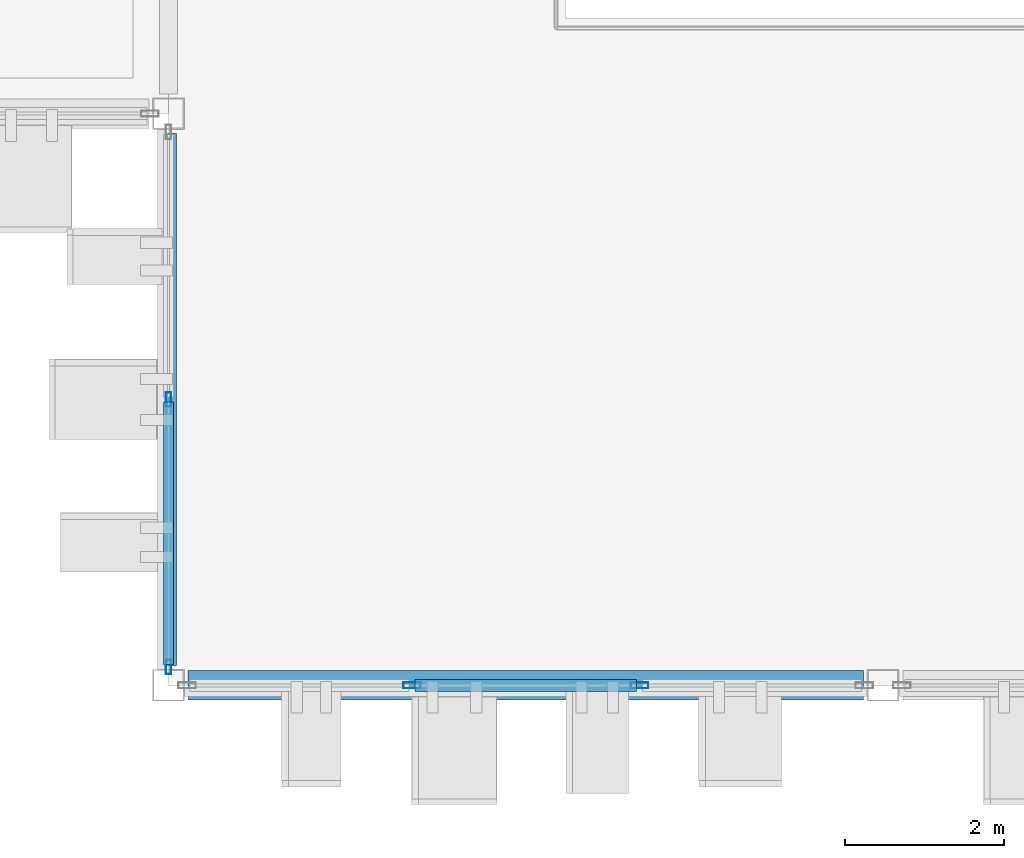
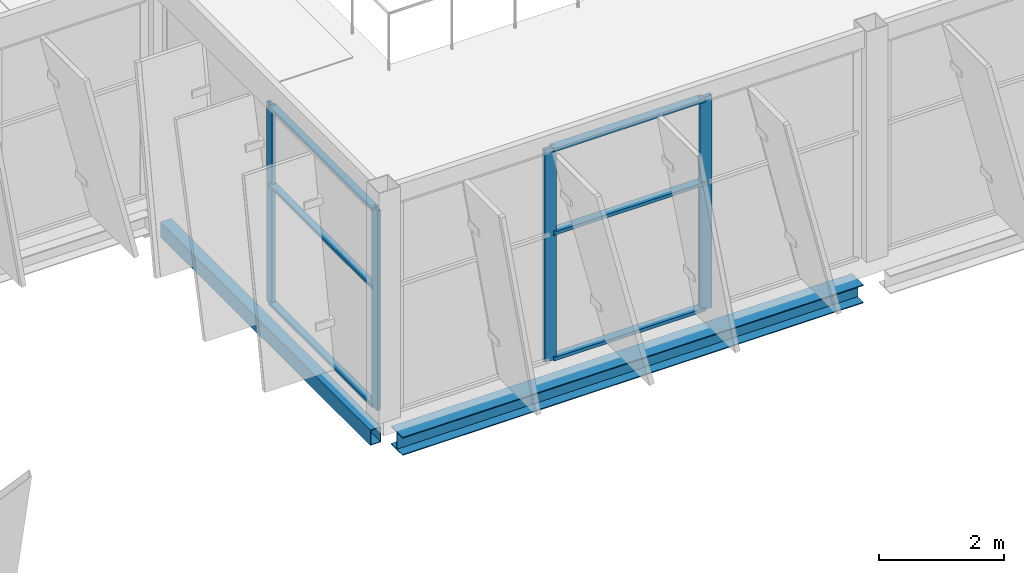
# One storey, part 59 of 151: 10 members, 2 beams, 2 elements without a shape of their own.
"""IFC4 building model written with IfcOpenShell, lengths in metres."""

from ifc_helpers import new_model, si_unit, direction, frame, origin, origin_2d, place, context, subcontext, project, spatial, hollow_rectangle, i_section, extrude, material, layer, layer_set, material_profile, profile_set, type_object, element, aggregate, save


model = new_model("IFC4")

# Units and contexts
model_context = context("Model", 3, precision=1e-05, world=origin(), true_north=direction((0.0, 1.0)))
body_context = subcontext(model_context, "Body", "Model", "MODEL_VIEW")
ifc_project = project(units=[si_unit("LENGTHUNIT", "METRE"), si_unit("AREAUNIT", "SQUARE_METRE"), si_unit("VOLUMEUNIT", "CUBIC_METRE"), si_unit("PLANEANGLEUNIT", "RADIAN"), si_unit("MASSUNIT", "GRAM", prefix="KILO")], contexts=[model_context])

# Site, building, storey
site_placement = place(None, origin())
site = spatial("IfcSite", under=ifc_project, at=site_placement, CompositionType="ELEMENT")
building_placement = place(site_placement, origin())
building = spatial("IfcBuilding", under=site, at=building_placement, Name="Celestram Park Convention Centre", CompositionType="ELEMENT")
storey_placement = place(building_placement, frame((0.0, 0.0, 10.800048828125)))
storey = spatial("IfcBuildingStorey", under=building, at=storey_placement, Name="L02", CompositionType="ELEMENT", Elevation=10.800048828125)

# Curtain wall, members
ifc_material_1 = material(Name="Anodised Aluminium Alloy 6063-T6", Category="aluminium")
ifc_layer_1 = layer(ifc_material_1, 0.179931640625)
ifc_layer_set_1 = layer_set([ifc_layer_1], Name="Anodised Aluminium Alloy 6063-T6")
curtain_wall_type_1 = type_object("IfcCurtainWallType", Name="ARC-CW-680X389", PredefinedType="NOTDEFINED", material=ifc_layer_set_1)
curtain_wall_1_placement = place(storey_placement, origin())
curtain_wall_1 = element("IfcCurtainWall", 1, at=curtain_wall_1_placement, inside=storey, type_object=curtain_wall_type_1, Name="Unitised curtain wall CU-L02-179", PredefinedType="NOTDEFINED")
ifc_material_profile_1 = material_profile(ifc_material_1, hollow_rectangle(XDim=0.06494140625, YDim=0.179931640625, WallThickness=0.00390625, at=origin_2d()), Name="ALU65X180X4")
ifc_profile_set_1 = profile_set([ifc_material_profile_1], Name="Anodised Aluminium Alloy 6063-T6")
member_type_1 = type_object("IfcMemberType", Name="ARC-CWM-150", PredefinedType="MULLION", material=ifc_profile_set_1)
member_1_placement = place(storey_placement, frame((153.0, 115.430419921875, 0.0), z_axis=(0.0, 0.0, 1.0), x_axis=(-1.0, 0.0, 0.0)))
member_1 = element("IfcMember", 2, at=member_1_placement, type_object=member_type_1, Name="CW-68X38 mullion 1", PredefinedType="MULLION", context=body_context, shape_type="SweptSolid", body=[
    extrude(hollow_rectangle(XDim=0.06494140625, YDim=0.179931640625, WallThickness=0.00390625, at=origin_2d()), origin(), (0.0, 0.0, 1.0), 3.89404296875),
])
member_2_placement = place(storey_placement, frame((153.0, 118.800048828125, 0.0), z_axis=(0.0, 0.0, 1.0), x_axis=(-1.0, 0.0, 0.0)))
member_2 = element("IfcMember", 3, at=member_2_placement, type_object=member_type_1, Name="CW-68X38 mullion 2", PredefinedType="MULLION", context=body_context, shape_type="SweptSolid", body=[
    extrude(hollow_rectangle(XDim=0.06494140625, YDim=0.179931640625, WallThickness=0.00390625, at=origin_2d()), origin(), (0.0, 0.0, 1.0), 3.89404296875),
])

ifc_layer_2 = layer(ifc_material_1, 0.179931640625)
ifc_layer_set_2 = layer_set([ifc_layer_2], Name="Anodised Aluminium Alloy 6063-T6")
curtain_wall_type_2 = type_object("IfcCurtainWallType", Name="ARC-CW-860X414", PredefinedType="NOTDEFINED", material=ifc_layer_set_2)
curtain_wall_2_placement = place(storey_placement, origin())
curtain_wall_2 = element("IfcCurtainWall", 4, at=curtain_wall_2_placement, inside=storey, type_object=curtain_wall_type_2, Name="Unitised curtain wall CU-L02-178", PredefinedType="NOTDEFINED")
ifc_material_profile_2 = material_profile(ifc_material_1, hollow_rectangle(XDim=0.074951171875, YDim=0.219970703125, WallThickness=0.00390625, at=origin_2d()), Name="ALU75X220X4")
ifc_profile_set_2 = profile_set([ifc_material_profile_2], Name="Anodised Aluminium Alloy 6063-T6")
member_type_2 = type_object("IfcMemberType", Name="ARC-CWM-180", PredefinedType="MULLION", material=ifc_profile_set_2)
member_3_placement = place(storey_placement, frame((158.93408203125, 115.199951171875, 0.0), z_axis=(0.0, 0.0, 1.0), x_axis=(0.0, -1.0, 0.0)))
member_3 = element("IfcMember", 5, at=member_3_placement, type_object=member_type_2, Name="CW-86X41 mullion 2", PredefinedType="MULLION", context=body_context, shape_type="SweptSolid", body=[
    extrude(hollow_rectangle(XDim=0.074951171875, YDim=0.219970703125, WallThickness=0.00390625, at=origin_2d()), origin(), (0.0, 0.0, 1.0), 4.14404296875),
])
member_4_placement = place(storey_placement, frame((156.06591796875, 115.199951171875, 0.0), z_axis=(0.0, 0.0, 1.0), x_axis=(0.0, -1.0, 0.0)))
member_4 = element("IfcMember", 6, at=member_4_placement, type_object=member_type_2, Name="CW-86X41 mullion 3", PredefinedType="MULLION", context=body_context, shape_type="SweptSolid", body=[
    extrude(hollow_rectangle(XDim=0.074951171875, YDim=0.219970703125, WallThickness=0.00390625, at=origin_2d()), origin(), (0.0, 0.0, 1.0), 4.14404296875),
])

# Member
ifc_material_profile_3 = material_profile(ifc_material_1, hollow_rectangle(XDim=0.1201171875, YDim=0.06005859375, WallThickness=0.0029296875, at=origin_2d()), Name="ALU120X60X3")
ifc_profile_set_3 = profile_set([ifc_material_profile_3], Name="Anodised Aluminium Alloy 6063-T6")
member_type_3 = type_object("IfcMemberType", Name="ARC-CWT-120", PredefinedType="USERDEFINED", material=ifc_profile_set_3)
member_5_placement = place(storey_placement, frame((153.0, 115.462890625, 0.030029296875), z_axis=(0.0, 1.0, 0.0), x_axis=(-1.0, 0.0, 0.0)))
member_5 = element("IfcMember", 7, at=member_5_placement, type_object=member_type_3, Name="CW-68X38 transom 1.1", ObjectType="TRANSOM", PredefinedType="USERDEFINED", context=body_context, shape_type="SweptSolid", body=[
    extrude(hollow_rectangle(XDim=0.1201171875, YDim=0.06005859375, WallThickness=0.0029296875, at=origin_2d()), origin(), (0.0, 0.0, 1.0), 3.3046875),
])

member_6_placement = place(storey_placement, frame((153.0, 115.462890625, 2.3359375), z_axis=(0.0, 1.0, 0.0), x_axis=(-1.0, 0.0, 0.0)))
member_6 = element("IfcMember", 8, at=member_6_placement, type_object=member_type_3, Name="CW-68X38 transom 1.2", ObjectType="TRANSOM", PredefinedType="USERDEFINED", context=body_context, shape_type="SweptSolid", body=[
    extrude(hollow_rectangle(XDim=0.1201171875, YDim=0.06005859375, WallThickness=0.0029296875, at=origin_2d()), origin(), (0.0, 0.0, 1.0), 3.3046875),
])

member_7_placement = place(storey_placement, frame((153.0, 115.462890625, 3.864013671875), z_axis=(0.0, 1.0, 0.0), x_axis=(-1.0, 0.0, 0.0)))
member_7 = element("IfcMember", 9, at=member_7_placement, type_object=member_type_3, Name="CW-68X38 transom 1.3", ObjectType="TRANSOM", PredefinedType="USERDEFINED", context=body_context, shape_type="SweptSolid", body=[
    extrude(hollow_rectangle(XDim=0.1201171875, YDim=0.06005859375, WallThickness=0.0029296875, at=origin_2d()), origin(), (0.0, 0.0, 1.0), 3.3046875),
])

aggregate(curtain_wall_1, [member_1, member_2, member_5, member_6, member_7])

ifc_material_profile_4 = material_profile(ifc_material_1, hollow_rectangle(XDim=0.14990234375, YDim=0.06494140625, WallThickness=0.0029296875, at=origin_2d()), Name="ALU150X65X3")
ifc_profile_set_4 = profile_set([ifc_material_profile_4], Name="Anodised Aluminium Alloy 6063-T6")
member_type_4 = type_object("IfcMemberType", Name="ARC-CWT-150", PredefinedType="USERDEFINED", material=ifc_profile_set_4)
member_8_placement = place(storey_placement, frame((158.896484375, 115.199951171875, 0.032470703125), z_axis=(-1.0, 0.0, 0.0), x_axis=(0.0, -1.0, 0.0)))
member_8 = element("IfcMember", 10, at=member_8_placement, type_object=member_type_4, Name="CW-86X41 transom 2.1", ObjectType="TRANSOM", PredefinedType="USERDEFINED", context=body_context, shape_type="SweptSolid", body=[
    extrude(hollow_rectangle(XDim=0.14990234375, YDim=0.06494140625, WallThickness=0.0029296875, at=origin_2d()), origin(), (0.0, 0.0, 1.0), 2.79296875),
])

member_9_placement = place(storey_placement, frame((158.896484375, 115.199951171875, 2.48583984375), z_axis=(-1.0, 0.0, 0.0), x_axis=(0.0, -1.0, 0.0)))
member_9 = element("IfcMember", 11, at=member_9_placement, type_object=member_type_4, Name="CW-86X41 transom 2.2", ObjectType="TRANSOM", PredefinedType="USERDEFINED", context=body_context, shape_type="SweptSolid", body=[
    extrude(hollow_rectangle(XDim=0.14990234375, YDim=0.06494140625, WallThickness=0.0029296875, at=origin_2d()), origin(), (0.0, 0.0, 1.0), 2.79296875),
])

member_10_placement = place(storey_placement, frame((158.896484375, 115.199951171875, 4.111572265625), z_axis=(-1.0, 0.0, 0.0), x_axis=(0.0, -1.0, 0.0)))
member_10 = element("IfcMember", 12, at=member_10_placement, type_object=member_type_4, Name="CW-86X41 transom 2.3", ObjectType="TRANSOM", PredefinedType="USERDEFINED", context=body_context, shape_type="SweptSolid", body=[
    extrude(hollow_rectangle(XDim=0.14990234375, YDim=0.06494140625, WallThickness=0.0029296875, at=origin_2d()), origin(), (0.0, 0.0, 1.0), 2.79296875),
])

aggregate(curtain_wall_2, [member_3, member_4, member_8, member_9, member_10])

# Beams
ifc_material_2 = material(Name="Steel ASTM A500 Grade C", Category="steel")
ifc_material_profile_5 = material_profile(ifc_material_2, hollow_rectangle(XDim=0.199951171875, YDim=0.300048828125, WallThickness=0.011962890625, at=origin_2d()), Name="HSS300X200X12")
ifc_profile_set_5 = profile_set([ifc_material_profile_5], Name="Steel ASTM A500 Grade C")
beam_type_1 = type_object("IfcBeamType", Name="STR-SPN-HSS300X200", PredefinedType="SPANDREL", material=ifc_profile_set_5)
beam_1_placement = place(storey_placement, frame((153.0, 115.447998046875, -0.570068359375), z_axis=(0.0, 1.0, 0.0), x_axis=(-1.0, 0.0, 0.0)))
element("IfcBeam", 13, at=beam_1_placement, inside=storey, type_object=beam_type_1, Name="Primary Y-girder BG-L02-0276", PredefinedType="SPANDREL", context=body_context, shape_type="SweptSolid", body=[
    extrude(hollow_rectangle(XDim=0.199951171875, YDim=0.300048828125, WallThickness=0.011962890625, at=origin_2d()), origin(), (0.0, 0.0, 1.0), 6.7041015625),
])
ifc_material_3 = material(Name="Steel ASTM A992 Grade 50", Category="steel")
ifc_material_profile_6 = material_profile(ifc_material_3, i_section(OverallWidth=0.367919921875, OverallDepth=0.35595703125, WebThickness=0.01123046875, FlangeThickness=0.01806640625, at=origin_2d()), Name="W14X90")
ifc_profile_set_6 = profile_set([ifc_material_profile_6], Name="Steel ASTM A992 Grade 50")
beam_type_2 = type_object("IfcBeamType", Name="STR-SPN-W14X90", PredefinedType="SPANDREL", material=ifc_profile_set_6)
beam_2_placement = place(storey_placement, frame((153.248046875, 115.199951171875, -0.59814453125), z_axis=(1.0, 0.0, 0.0), x_axis=(0.0, 1.0, 0.0)))
element("IfcBeam", 14, at=beam_2_placement, inside=storey, type_object=beam_type_2, Name="Primary X-girder BG-L02-0275", PredefinedType="SPANDREL", context=body_context, shape_type="SweptSolid", body=[
    extrude(i_section(OverallWidth=0.367919921875, OverallDepth=0.35595703125, WebThickness=0.01123046875, FlangeThickness=0.01806640625, at=origin_2d()), origin(), (0.0, 0.0, 1.0), 8.50390625),
])

save(model, "model.ifc")
